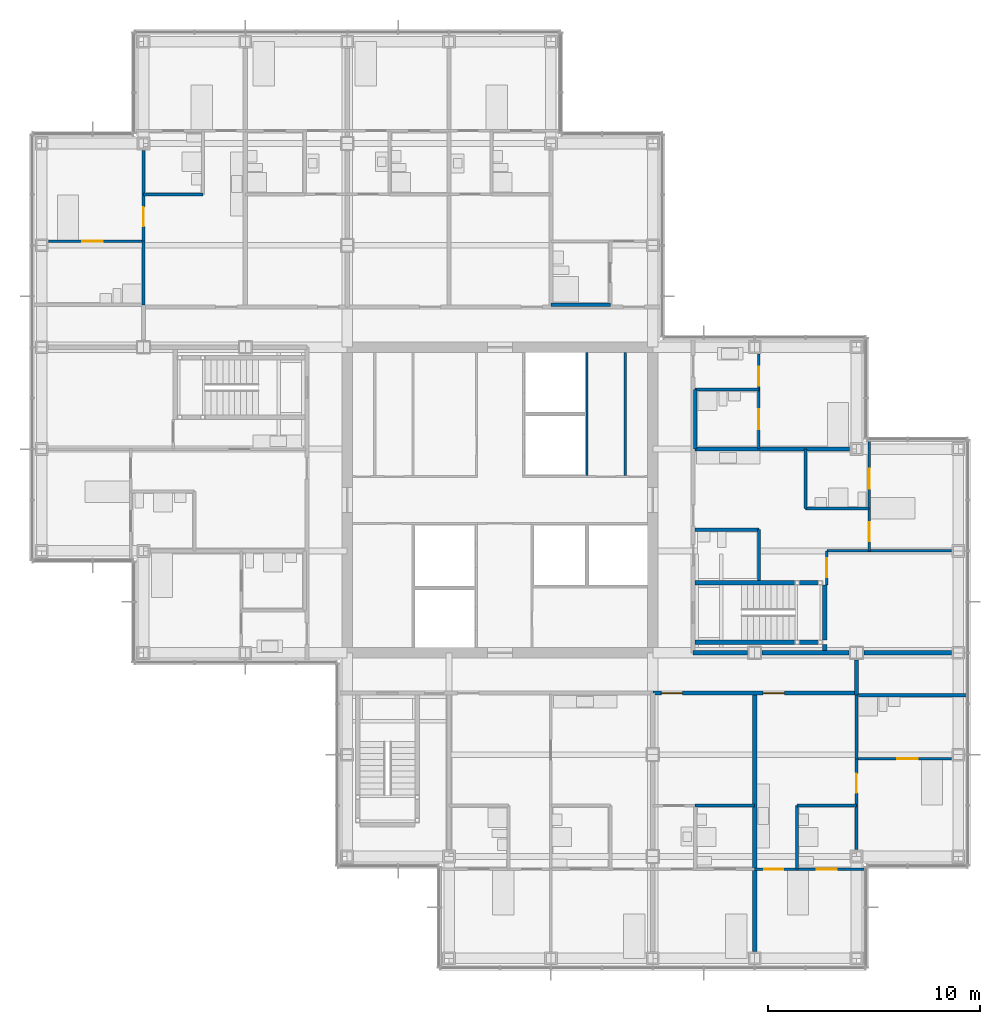
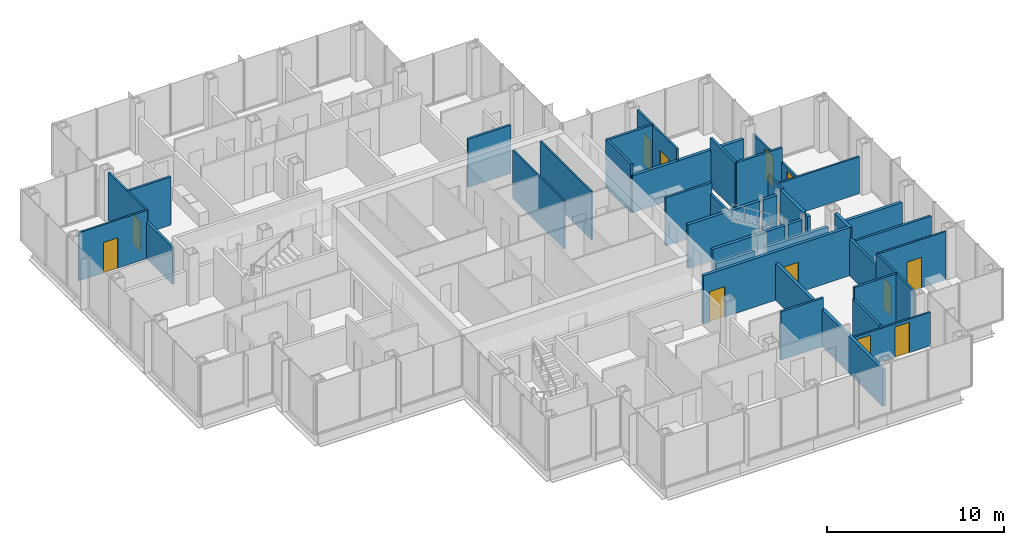
# One storey, part 15 of 20: 38 walls, 13 doors, 13 openings.
"""IFC4 building model written with IfcOpenShell, lengths in metres."""

from ifc_helpers import new_model, si_unit, direction, frame, frame_2d, origin, place, context, subcontext, project, spatial, rectangle, extrude, material, layer, layer_set, type_object, element, fill, save


model = new_model("IFC4")

# Units and contexts
model_context = context("Model", 3, precision=1e-05, world=origin(), true_north=direction((0.0, 1.0)))
body_context = subcontext(model_context, "Body", "Model", "MODEL_VIEW")
ifc_project = project(units=[si_unit("LENGTHUNIT", "METRE"), si_unit("AREAUNIT", "SQUARE_METRE"), si_unit("VOLUMEUNIT", "CUBIC_METRE"), si_unit("PLANEANGLEUNIT", "RADIAN"), si_unit("MASSUNIT", "GRAM", prefix="KILO")], contexts=[model_context])

# Site, building, storey
site_placement = place(None, origin())
site = spatial("IfcSite", under=ifc_project, at=site_placement, CompositionType="ELEMENT")
building_placement = place(site_placement, origin())
building = spatial("IfcBuilding", under=site, at=building_placement, Name="Kvirike Care Tower", CompositionType="ELEMENT")
storey_placement = place(building_placement, frame((0.0, 0.0, 119.0)))
storey = spatial("IfcBuildingStorey", under=building, at=storey_placement, Name="L32", CompositionType="ELEMENT", Elevation=119.0)

# Walls
ifc_material_1 = material(Name="Moisture-resistant board partition", Category="gypsum")
ifc_layer_1 = layer(ifc_material_1, 0.14990234375)
ifc_layer_set_1 = layer_set([ifc_layer_1], Name="BATHROOM WALL 150")
wall_type_1 = type_object("IfcWallType", Name="BATHROOM WALL 150", PredefinedType="PARTITIONING", material=ifc_layer_set_1)
wall_1_placement = place(storey_placement, frame((7.60009765625, 50.39990234375, 0.0), z_axis=(0.0, 0.0, 1.0), x_axis=(-1.0, 0.0, 0.0)))
element("IfcWall", 1, at=wall_1_placement, inside=storey, type_object=wall_type_1, Name="Bathroom Wall 150 L32", PredefinedType="PARTITIONING", context=body_context, shape_type="SweptSolid", body=[
    extrude(rectangle(XDim=2.800048828125, YDim=0.14990234375, at=frame_2d((1.39990234375, 0.0))), origin(), (0.0, 0.0, 1.0), 3.330078125),
])
wall_2_placement = place(storey_placement, frame((4.800048828125, 48.199951171875, 0.0), z_axis=(0.0, 0.0, 1.0), x_axis=(0.0, -1.0, 0.0)))
element("IfcWall", 2, at=wall_2_placement, inside=storey, type_object=wall_type_1, Name="Bathroom Wall 150 L32", PredefinedType="PARTITIONING", context=body_context, shape_type="SweptSolid", body=[
    extrude(rectangle(XDim=3.0, YDim=0.14990234375, at=frame_2d((1.5, 0.0))), origin(), (0.0, 0.0, 1.0), 2.550048828125),
])
for number, where, z_axis, x_axis, name in (
    (3, (26.800048828125, 45.199951171875, 0.0), (0.0, 0.0, 1.0), (-1.0, 0.0, 0.0), "Bathroom Wall 150 L32"),
    (4, (30.800048828125, 21.60009765625, 0.0), (0.0, 0.0, 1.0), (1.0, 0.0, 0.0), "Bathroom Wall 150 L32"),
):
    element("IfcWall", number, at=place(storey_placement, frame(where, z_axis=z_axis, x_axis=x_axis)), inside=storey, type_object=wall_type_1, Name=name, PredefinedType="PARTITIONING", context=body_context, shape_type="SweptSolid", body=[
        extrude(rectangle(XDim=2.800048828125, YDim=0.14990234375, at=frame_2d((1.39990234375, 0.0))), origin(), (0.0, 0.0, 1.0), 3.330078125),
    ])
wall_3_placement = place(storey_placement, frame((35.60009765625, 18.60009765625, 0.0), z_axis=(0.0, 0.0, 1.0), x_axis=(0.0, 1.0, 0.0)))
element("IfcWall", 5, at=wall_3_placement, inside=storey, type_object=wall_type_1, Name="Bathroom Wall 150 L32", PredefinedType="PARTITIONING", context=body_context, shape_type="SweptSolid", body=[
    extrude(rectangle(XDim=3.0, YDim=0.14990234375, at=frame_2d((1.5, 0.0))), origin(), (0.0, 0.0, 1.0), 2.550048828125),
])
wall_4_placement = place(storey_placement, frame((35.60009765625, 21.60009765625, 0.0), z_axis=(0.0, 0.0, 1.0), x_axis=(1.0, 0.0, 0.0)))
element("IfcWall", 6, at=wall_4_placement, inside=storey, type_object=wall_type_1, Name="Bathroom Wall 150 L32", PredefinedType="PARTITIONING", context=body_context, shape_type="SweptSolid", body=[
    extrude(rectangle(XDim=2.7998046875, YDim=0.14990234375, at=frame_2d((1.39990234375, 0.0))), origin(), (0.0, 0.0, 1.0), 3.330078125),
])
wall_5_placement = place(storey_placement, frame((38.39990234375, 23.800048828125, 0.0), z_axis=(0.0, 0.0, 1.0), x_axis=(0.0, 1.0, 0.0)))
element("IfcWall", 7, at=wall_5_placement, inside=storey, type_object=wall_type_1, Name="Bathroom Wall 150 L32", PredefinedType="PARTITIONING", context=body_context, shape_type="SweptSolid", body=[
    extrude(rectangle(XDim=3.0, YDim=0.14990234375, at=frame_2d((1.5, 0.0))), origin(), (0.0, 0.0, 1.0), 2.550048828125),
])
wall_6_placement = place(storey_placement, frame((33.800048828125, 32.199951171875, 0.0), z_axis=(0.0, 0.0, 1.0), x_axis=(0.0, 1.0, 0.0)))
element("IfcWall", 8, at=wall_6_placement, inside=storey, type_object=wall_type_1, Name="Bathroom Wall 150 L32", PredefinedType="PARTITIONING", context=body_context, shape_type="SweptSolid", body=[
    extrude(rectangle(XDim=2.400146484375, YDim=0.14990234375, at=frame_2d((1.2001953125, 0.0))), origin(), (0.0, 0.0, 1.0), 2.550048828125),
])
for number, where, z_axis, x_axis, name in (
    (9, (33.800048828125, 34.60009765625, 0.0), (0.0, 0.0, 1.0), (-1.0, 0.0, 0.0), "Bathroom Wall 150 L32"),
    (10, (39.0, 35.60009765625, 0.0), (0.0, 0.0, 1.0), (-1.0, 0.0, 0.0), "Bathroom Wall 150 L32"),
):
    element("IfcWall", number, at=place(storey_placement, frame(where, z_axis=z_axis, x_axis=x_axis)), inside=storey, type_object=wall_type_1, Name=name, PredefinedType="PARTITIONING", context=body_context, shape_type="SweptSolid", body=[
        extrude(rectangle(XDim=3.0, YDim=0.14990234375, at=frame_2d((1.5, 0.0))), origin(), (0.0, 0.0, 1.0), 3.330078125),
    ])
wall_7_placement = place(storey_placement, frame((36.0, 35.60009765625, 0.0), z_axis=(0.0, 0.0, 1.0), x_axis=(0.0, 1.0, 0.0)))
element("IfcWall", 11, at=wall_7_placement, inside=storey, type_object=wall_type_1, Name="Bathroom Wall 150 L32", PredefinedType="PARTITIONING", context=body_context, shape_type="SweptSolid", body=[
    extrude(rectangle(XDim=2.7998046875, YDim=0.14990234375, at=frame_2d((1.39990234375, 0.0))), origin(), (0.0, 0.0, 1.0), 3.330078125),
])
wall_8_placement = place(storey_placement, frame((33.800048828125, 41.199951171875, 0.0), z_axis=(0.0, 0.0, 1.0), x_axis=(-1.0, 0.0, 0.0)))
element("IfcWall", 12, at=wall_8_placement, inside=storey, type_object=wall_type_1, Name="Bathroom Wall 150 L32", PredefinedType="PARTITIONING", context=body_context, shape_type="SweptSolid", body=[
    extrude(rectangle(XDim=3.0, YDim=0.14990234375, at=frame_2d((1.5, 0.0))), origin(), (0.0, 0.0, 1.0), 3.330078125),
])
wall_9_placement = place(storey_placement, frame((30.800048828125, 38.39990234375, 0.0), z_axis=(0.0, 0.0, 1.0), x_axis=(0.0, 1.0, 0.0)))
element("IfcWall", 13, at=wall_9_placement, inside=storey, type_object=wall_type_1, Name="Bathroom Wall 150 L32", PredefinedType="PARTITIONING", context=body_context, shape_type="SweptSolid", body=[
    extrude(rectangle(XDim=2.800048828125, YDim=0.14990234375, at=frame_2d((1.39990234375, 0.0))), origin(), (0.0, 0.0, 1.0), 3.330078125),
])
wall_10_placement = place(storey_placement, frame((38.5, 26.800048828125, 0.0), z_axis=(0.0, 0.0, 1.0), x_axis=(1.0, 0.0, 0.0)))
element("IfcWall", 14, at=wall_10_placement, inside=storey, type_object=wall_type_1, Name="Bathroom Wall 150 L32", PredefinedType="PARTITIONING", context=body_context, shape_type="SweptSolid", body=[
    extrude(rectangle(XDim=5.139892578125, YDim=0.14990234375, at=frame_2d((2.56982421875, 0.0))), origin(), (0.0, 0.0, 1.0), 2.320068359375),
])

# Wall, openings, doors
ifc_material_2 = material(Name="Plasterboard corridor wall", Category="gypsum")
ifc_layer_2 = layer(ifc_material_2, 0.199951171875)
ifc_layer_set_2 = layer_set([ifc_layer_2], Name="CORRIDOR WALL 200")
wall_type_2 = type_object("IfcWallType", Name="CORRIDOR WALL 200", PredefinedType="PARTITIONING", material=ifc_layer_set_2)
wall_11_placement = place(storey_placement, frame((28.800048828125, 26.89990234375, 0.0), z_axis=(0.0, 0.0, 1.0), x_axis=(1.0, 0.0, 0.0)))
wall_11 = element("IfcWall", 15, at=wall_11_placement, inside=storey, type_object=wall_type_2, Name="Corridor Wall 200 L32", PredefinedType="PARTITIONING", context=body_context, shape_type="SweptSolid", body=[
    extrude(rectangle(XDim=9.599853515625, YDim=0.199951171875, at=frame_2d((4.7998046875, 0.0))), origin(), (0.0, 0.0, 1.0), 3.330078125),
])
opening_1_placement = place(wall_11_placement, frame((0.39990234375, 0.0, 0.0)))
opening_1 = element("IfcOpeningElement", 16, at=opening_1_placement, cuts=wall_11, Name="Opening 32-045", PredefinedType="OPENING", context=body_context, shape_type="SweptSolid", body=[
    extrude(rectangle(XDim=1.0, YDim=2.10009765625, at=frame_2d((0.5, 1.050048828125))), frame((0.0, 0.110595703125, 0.0), z_axis=(0.0, -1.0, 0.0), x_axis=(1.0, 0.0, 0.0)), (0.0, 0.0, 1.0), 0.220947265625),
])
opening_2_placement = place(wall_11_placement, frame((5.199951171875, 0.0, 0.0)))
opening_2 = element("IfcOpeningElement", 17, at=opening_2_placement, cuts=wall_11, Name="Opening 32-046", PredefinedType="OPENING", context=body_context, shape_type="SweptSolid", body=[
    extrude(rectangle(XDim=1.0, YDim=2.10009765625, at=frame_2d((0.5, 1.050048828125))), frame((0.0, 0.110595703125, 0.0), z_axis=(0.0, -1.0, 0.0), x_axis=(1.0, 0.0, 0.0)), (0.0, 0.0, 1.0), 0.220947265625),
])
ifc_material_3 = material(Name="Timber door set", Category="wood")
door_type_1 = type_object("IfcDoorType", Name="FLAT ENTRANCE DOOR 1000", OperationType="SINGLE_SWING_LEFT", PredefinedType="DOOR", material=ifc_material_3)
door_1_placement = place(opening_1_placement, frame((1.0, 0.0, 0.0), z_axis=(0.0, 0.0, 1.0), x_axis=(-1.0, 0.0, 0.0)))
door_1 = element("IfcDoor", 18, at=door_1_placement, inside=storey, type_object=door_type_1, Name="Assisted living suite entrance", OperationType="SINGLE_SWING_LEFT", OverallHeight=2.10009765625, OverallWidth=1.0, PredefinedType="DOOR", context=body_context, shape_type="SweptSolid", body=[
    extrude(rectangle(XDim=1.0, YDim=2.10009765625, at=frame_2d((0.5, 1.050048828125))), frame((0.0, 0.02685546875, 0.0), z_axis=(0.0, -1.0, 0.0), x_axis=(1.0, 0.0, 0.0)), (0.0, 0.0, 1.0), 0.053955078125),
])
fill(opening_1, door_1)
door_2_placement = place(opening_2_placement, frame((1.0, 0.0, 0.0), z_axis=(0.0, 0.0, 1.0), x_axis=(-1.0, 0.0, 0.0)))
door_2 = element("IfcDoor", 19, at=door_2_placement, inside=storey, type_object=door_type_1, Name="Two-bedroom assisted living suite entrance", OperationType="SINGLE_SWING_LEFT", OverallHeight=2.10009765625, OverallWidth=1.0, PredefinedType="DOOR", context=body_context, shape_type="SweptSolid", body=[
    extrude(rectangle(XDim=1.0, YDim=2.10009765625, at=frame_2d((0.5, 1.050048828125))), frame((0.0, 0.02685546875, 0.0), z_axis=(0.0, -1.0, 0.0), x_axis=(1.0, 0.0, 0.0)), (0.0, 0.0, 1.0), 0.053955078125),
])
fill(opening_2, door_2)

# Wall
wall_12_placement = place(storey_placement, frame((38.39990234375, 26.800048828125, 0.0), z_axis=(0.0, 0.0, 1.0), x_axis=(0.0, 1.0, 0.0)))
element("IfcWall", 20, at=wall_12_placement, inside=storey, type_object=wall_type_2, Name="Corridor Wall 200 L32", PredefinedType="PARTITIONING", context=body_context, shape_type="SweptSolid", body=[
    extrude(rectangle(XDim=1.655029296875, YDim=0.199951171875, at=frame_2d((0.82763671875, 0.0))), origin(), (0.0, 0.0, 1.0), 3.330078125),
])

# Wall, opening, door
ifc_material_4 = material(Name="Plasterboard partition", Category="gypsum")
ifc_layer_3 = layer(ifc_material_4, 0.1201171875)
ifc_layer_set_3 = layer_set([ifc_layer_3], Name="PARTITION 120")
wall_type_3 = type_object("IfcWallType", Name="PARTITION 120", PredefinedType="PARTITIONING", material=ifc_layer_set_3)
wall_13_placement = place(storey_placement, frame((4.800048828125, 48.199951171875, 0.0), z_axis=(0.0, 0.0, 1.0), x_axis=(-1.0, 0.0, 0.0)))
wall_13 = element("IfcWall", 21, at=wall_13_placement, inside=storey, type_object=wall_type_3, Name="Partition 120 L32", PredefinedType="PARTITIONING", context=body_context, shape_type="SweptSolid", body=[
    extrude(rectangle(XDim=4.47998046875, YDim=0.1201171875, at=frame_2d((2.239990234375, 0.0))), origin(), (0.0, 0.0, 1.0), 3.330078125),
])
opening_3_placement = place(wall_13_placement, frame((1.925048828125, 0.0, 0.0)))
opening_3 = element("IfcOpeningElement", 22, at=opening_3_placement, cuts=wall_13, Name="Opening 32-015", PredefinedType="OPENING", context=body_context, shape_type="SweptSolid", body=[
    extrude(rectangle(XDim=0.949951171875, YDim=2.10009765625, at=frame_2d((0.47509765625, 1.050048828125))), frame((0.0, 0.070556640625, 0.0), z_axis=(0.0, -1.0, 0.0), x_axis=(1.0, 0.0, 0.0)), (0.0, 0.0, 1.0), 0.14111328125),
])
ifc_material_5 = material(Name="Timber door set", Category="wood")
door_type_2 = type_object("IfcDoorType", Name="EN-SUITE SLIDING DOOR 950", OperationType="SLIDING_TO_LEFT", PredefinedType="DOOR", material=ifc_material_5)
door_3_placement = place(opening_3_placement, origin())
door_3 = element("IfcDoor", 23, at=door_3_placement, inside=storey, type_object=door_type_2, Name="En-suite door", OperationType="SLIDING_TO_LEFT", OverallHeight=2.10009765625, OverallWidth=0.949951171875, PredefinedType="DOOR", context=body_context, shape_type="SweptSolid", body=[
    extrude(rectangle(XDim=0.949951171875, YDim=2.10009765625, at=frame_2d((0.47509765625, 1.050048828125))), frame((0.0, 0.02197265625, 0.0), z_axis=(0.0, -1.0, 0.0), x_axis=(1.0, 0.0, 0.0)), (0.0, 0.0, 1.0), 0.0439453125),
])
fill(opening_3, door_3)

wall_14_placement = place(storey_placement, frame((4.800048828125, 52.47998046875, 0.0), z_axis=(0.0, 0.0, 1.0), x_axis=(0.0, -1.0, 0.0)))
wall_14 = element("IfcWall", 24, at=wall_14_placement, inside=storey, type_object=wall_type_3, Name="Partition 120 L32", PredefinedType="PARTITIONING", context=body_context, shape_type="SweptSolid", body=[
    extrude(rectangle(XDim=4.280029296875, YDim=0.1201171875, at=frame_2d((2.14013671875, 0.0))), origin(), (0.0, 0.0, 1.0), 3.330078125),
])
opening_4_placement = place(wall_14_placement, frame((2.679931640625, 0.0, 0.0)))
opening_4 = element("IfcOpeningElement", 25, at=opening_4_placement, cuts=wall_14, Name="Opening 32-016", PredefinedType="OPENING", context=body_context, shape_type="SweptSolid", body=[
    extrude(rectangle(XDim=0.89990234375, YDim=2.10009765625, at=frame_2d((0.449951171875, 1.050048828125))), frame((0.0, 0.070556640625, 0.0), z_axis=(0.0, -1.0, 0.0), x_axis=(1.0, 0.0, 0.0)), (0.0, 0.0, 1.0), 0.14111328125),
])
ifc_material_6 = material(Name="Timber door set", Category="wood")
door_type_3 = type_object("IfcDoorType", Name="INTERNAL DOOR 900", OperationType="SINGLE_SWING_LEFT", PredefinedType="DOOR", material=ifc_material_6)
door_4_placement = place(opening_4_placement, frame((0.89990234375, 0.0, 0.0), z_axis=(0.0, 0.0, 1.0), x_axis=(-1.0, 0.0, 0.0)))
door_4 = element("IfcDoor", 26, at=door_4_placement, inside=storey, type_object=door_type_3, Name="Connecting door", OperationType="SINGLE_SWING_RIGHT", OverallHeight=2.10009765625, OverallWidth=0.89990234375, PredefinedType="DOOR", context=body_context, shape_type="SweptSolid", body=[
    extrude(rectangle(XDim=0.89990234375, YDim=2.10009765625, at=frame_2d((0.449951171875, 1.050048828125))), frame((0.0, 0.02197265625, 0.0), z_axis=(0.0, -1.0, 0.0), x_axis=(1.0, 0.0, 0.0)), (0.0, 0.0, 1.0), 0.0439453125),
])
fill(opening_4, door_4)

# Wall, openings, doors
wall_15_placement = place(storey_placement, frame((33.60009765625, 18.60009765625, 0.0), z_axis=(0.0, 0.0, 1.0), x_axis=(1.0, 0.0, 0.0)))
wall_15 = element("IfcWall", 27, at=wall_15_placement, inside=storey, type_object=wall_type_3, Name="Partition 120 L32", PredefinedType="PARTITIONING", context=body_context, shape_type="SweptSolid", body=[
    extrude(rectangle(XDim=5.239990234375, YDim=0.1201171875, at=frame_2d((2.6201171875, 0.0))), origin(), (0.0, 0.0, 1.0), 2.320068359375),
])
opening_5_placement = place(wall_15_placement, frame((0.449951171875, 0.0, 0.0)))
opening_5 = element("IfcOpeningElement", 28, at=opening_5_placement, cuts=wall_15, Name="Opening 32-041", PredefinedType="OPENING", context=body_context, shape_type="SweptSolid", body=[
    extrude(rectangle(XDim=0.89990234375, YDim=2.10009765625, at=frame_2d((0.449951171875, 1.050048828125))), frame((0.0, 0.070556640625, 0.0), z_axis=(0.0, -1.0, 0.0), x_axis=(1.0, 0.0, 0.0)), (0.0, 0.0, 1.0), 0.14111328125),
])
opening_6_placement = place(wall_15_placement, frame((2.925048828125, 0.0, 0.0)))
opening_6 = element("IfcOpeningElement", 29, at=opening_6_placement, cuts=wall_15, Name="Opening 32-042", PredefinedType="OPENING", context=body_context, shape_type="SweptSolid", body=[
    extrude(rectangle(XDim=0.949951171875, YDim=2.10009765625, at=frame_2d((0.47509765625, 1.050048828125))), frame((0.0, 0.070556640625, 0.0), z_axis=(0.0, -1.0, 0.0), x_axis=(1.0, 0.0, 0.0)), (0.0, 0.0, 1.0), 0.14111328125),
])
door_5_placement = place(opening_6_placement, origin())
door_5 = element("IfcDoor", 30, at=door_5_placement, inside=storey, type_object=door_type_2, Name="En-suite door", OperationType="SLIDING_TO_RIGHT", OverallHeight=2.10009765625, OverallWidth=0.949951171875, PredefinedType="DOOR", context=body_context, shape_type="SweptSolid", body=[
    extrude(rectangle(XDim=0.949951171875, YDim=2.10009765625, at=frame_2d((0.47509765625, 1.050048828125))), frame((0.0, 0.02197265625, 0.0), z_axis=(0.0, -1.0, 0.0), x_axis=(1.0, 0.0, 0.0)), (0.0, 0.0, 1.0), 0.0439453125),
])
fill(opening_6, door_5)
door_6_placement = place(opening_5_placement, frame((0.89990234375, 0.0, 0.0), z_axis=(0.0, 0.0, 1.0), x_axis=(-1.0, 0.0, 0.0)))
door_6 = element("IfcDoor", 31, at=door_6_placement, inside=storey, type_object=door_type_3, Name="Assisted living suite door", OperationType="SINGLE_SWING_LEFT", OverallHeight=2.10009765625, OverallWidth=0.89990234375, PredefinedType="DOOR", context=body_context, shape_type="SweptSolid", body=[
    extrude(rectangle(XDim=0.89990234375, YDim=2.10009765625, at=frame_2d((0.449951171875, 1.050048828125))), frame((0.0, 0.02197265625, 0.0), z_axis=(0.0, -1.0, 0.0), x_axis=(1.0, 0.0, 0.0)), (0.0, 0.0, 1.0), 0.0439453125),
])
fill(opening_5, door_6)

# Wall, opening, door
wall_16_placement = place(storey_placement, frame((38.39990234375, 23.800048828125, 0.0), z_axis=(0.0, 0.0, 1.0), x_axis=(1.0, 0.0, 0.0)))
wall_16 = element("IfcWall", 32, at=wall_16_placement, inside=storey, type_object=wall_type_3, Name="Partition 120 L32", PredefinedType="PARTITIONING", context=body_context, shape_type="SweptSolid", body=[
    extrude(rectangle(XDim=4.47998046875, YDim=0.1201171875, at=frame_2d((2.239990234375, 0.0))), origin(), (0.0, 0.0, 1.0), 3.330078125),
])
opening_7_placement = place(wall_16_placement, frame((1.925048828125, 0.0, 0.0)))
opening_7 = element("IfcOpeningElement", 33, at=opening_7_placement, cuts=wall_16, Name="Opening 32-043", PredefinedType="OPENING", context=body_context, shape_type="SweptSolid", body=[
    extrude(rectangle(XDim=0.949951171875, YDim=2.10009765625, at=frame_2d((0.47509765625, 1.050048828125))), frame((0.0, 0.070556640625, 0.0), z_axis=(0.0, -1.0, 0.0), x_axis=(1.0, 0.0, 0.0)), (0.0, 0.0, 1.0), 0.14111328125),
])
door_7_placement = place(opening_7_placement, origin())
door_7 = element("IfcDoor", 34, at=door_7_placement, inside=storey, type_object=door_type_2, Name="En-suite door", OperationType="SLIDING_TO_LEFT", OverallHeight=2.10009765625, OverallWidth=0.949951171875, PredefinedType="DOOR", context=body_context, shape_type="SweptSolid", body=[
    extrude(rectangle(XDim=0.949951171875, YDim=2.10009765625, at=frame_2d((0.47509765625, 1.050048828125))), frame((0.0, 0.02197265625, 0.0), z_axis=(0.0, -1.0, 0.0), x_axis=(1.0, 0.0, 0.0)), (0.0, 0.0, 1.0), 0.0439453125),
])
fill(opening_7, door_7)

wall_17_placement = place(storey_placement, frame((38.39990234375, 19.52001953125, 0.0), z_axis=(0.0, 0.0, 1.0), x_axis=(0.0, 1.0, 0.0)))
wall_17 = element("IfcWall", 35, at=wall_17_placement, inside=storey, type_object=wall_type_3, Name="Partition 120 L32", PredefinedType="PARTITIONING", context=body_context, shape_type="SweptSolid", body=[
    extrude(rectangle(XDim=4.280029296875, YDim=0.1201171875, at=frame_2d((2.14013671875, 0.0))), origin(), (0.0, 0.0, 1.0), 3.330078125),
])
opening_8_placement = place(wall_17_placement, frame((2.679931640625, 0.0, 0.0)))
opening_8 = element("IfcOpeningElement", 36, at=opening_8_placement, cuts=wall_17, Name="Opening 32-044", PredefinedType="OPENING", context=body_context, shape_type="SweptSolid", body=[
    extrude(rectangle(XDim=0.89990234375, YDim=2.10009765625, at=frame_2d((0.449951171875, 1.050048828125))), frame((0.0, 0.070556640625, 0.0), z_axis=(0.0, -1.0, 0.0), x_axis=(1.0, 0.0, 0.0)), (0.0, 0.0, 1.0), 0.14111328125),
])
door_8_placement = place(opening_8_placement, frame((0.89990234375, 0.0, 0.0), z_axis=(0.0, 0.0, 1.0), x_axis=(-1.0, 0.0, 0.0)))
door_8 = element("IfcDoor", 37, at=door_8_placement, inside=storey, type_object=door_type_3, Name="Connecting door", OperationType="SINGLE_SWING_RIGHT", OverallHeight=2.10009765625, OverallWidth=0.89990234375, PredefinedType="DOOR", context=body_context, shape_type="SweptSolid", body=[
    extrude(rectangle(XDim=0.89990234375, YDim=2.10009765625, at=frame_2d((0.449951171875, 1.050048828125))), frame((0.0, 0.02197265625, 0.0), z_axis=(0.0, -1.0, 0.0), x_axis=(1.0, 0.0, 0.0)), (0.0, 0.0, 1.0), 0.0439453125),
])
fill(opening_8, door_8)

wall_18_placement = place(storey_placement, frame((37.0, 32.0, 0.0), z_axis=(0.0, 0.0, 1.0), x_axis=(0.0, 1.0, 0.0)))
wall_18 = element("IfcWall", 38, at=wall_18_placement, inside=storey, type_object=wall_type_3, Name="Partition 120 L32", PredefinedType="PARTITIONING", context=body_context, shape_type="SweptSolid", body=[
    extrude(rectangle(XDim=1.60009765625, YDim=0.1201171875, at=frame_2d((0.800048828125, 0.0))), origin(), (0.0, 0.0, 1.0), 3.330078125),
])
opening_9_placement = place(wall_18_placement, frame((0.35009765625, 0.0, 0.0)))
opening_9 = element("IfcOpeningElement", 39, at=opening_9_placement, cuts=wall_18, Name="Opening 32-047", PredefinedType="OPENING", context=body_context, shape_type="SweptSolid", body=[
    extrude(rectangle(XDim=0.89990234375, YDim=2.10009765625, at=frame_2d((0.449951171875, 1.050048828125))), frame((0.0, 0.070556640625, 0.0), z_axis=(0.0, -1.0, 0.0), x_axis=(1.0, 0.0, 0.0)), (0.0, 0.0, 1.0), 0.14111328125),
])
door_9_placement = place(opening_9_placement, frame((0.89990234375, 0.0, 0.0), z_axis=(0.0, 0.0, 1.0), x_axis=(-1.0, 0.0, 0.0)))
door_9 = element("IfcDoor", 40, at=door_9_placement, inside=storey, type_object=door_type_3, Name="Suite sitting room door", OperationType="SINGLE_SWING_RIGHT", OverallHeight=2.10009765625, OverallWidth=0.89990234375, PredefinedType="DOOR", context=body_context, shape_type="SweptSolid", body=[
    extrude(rectangle(XDim=0.89990234375, YDim=2.10009765625, at=frame_2d((0.449951171875, 1.050048828125))), frame((0.0, 0.02197265625, 0.0), z_axis=(0.0, -1.0, 0.0), x_axis=(1.0, 0.0, 0.0)), (0.0, 0.0, 1.0), 0.0439453125),
])
fill(opening_9, door_9)

# Wall, openings, doors
wall_19_placement = place(storey_placement, frame((39.0, 33.60009765625, 0.0), z_axis=(0.0, 0.0, 1.0), x_axis=(0.0, 1.0, 0.0)))
wall_19 = element("IfcWall", 41, at=wall_19_placement, inside=storey, type_object=wall_type_3, Name="Partition 120 L32", PredefinedType="PARTITIONING", context=body_context, shape_type="SweptSolid", body=[
    extrude(rectangle(XDim=5.239990234375, YDim=0.1201171875, at=frame_2d((2.6201171875, 0.0))), origin(), (0.0, 0.0, 1.0), 2.320068359375),
])
opening_10_placement = place(wall_19_placement, frame((0.449951171875, 0.0, 0.0)))
opening_10 = element("IfcOpeningElement", 42, at=opening_10_placement, cuts=wall_19, Name="Opening 32-048", PredefinedType="OPENING", context=body_context, shape_type="SweptSolid", body=[
    extrude(rectangle(XDim=0.89990234375, YDim=2.10009765625, at=frame_2d((0.449951171875, 1.050048828125))), frame((0.0, 0.070556640625, 0.0), z_axis=(0.0, -1.0, 0.0), x_axis=(1.0, 0.0, 0.0)), (0.0, 0.0, 1.0), 0.14111328125),
])
opening_11_placement = place(wall_19_placement, frame((2.925048828125, 0.0, 0.0)))
opening_11 = element("IfcOpeningElement", 43, at=opening_11_placement, cuts=wall_19, Name="Opening 32-049", PredefinedType="OPENING", context=body_context, shape_type="SweptSolid", body=[
    extrude(rectangle(XDim=0.949951171875, YDim=2.10009765625, at=frame_2d((0.47509765625, 1.050048828125))), frame((0.0, 0.070556640625, 0.0), z_axis=(0.0, -1.0, 0.0), x_axis=(1.0, 0.0, 0.0)), (0.0, 0.0, 1.0), 0.14111328125),
])
door_10_placement = place(opening_11_placement, origin())
door_10 = element("IfcDoor", 44, at=door_10_placement, inside=storey, type_object=door_type_2, Name="En-suite door", OperationType="SLIDING_TO_LEFT", OverallHeight=2.10009765625, OverallWidth=0.949951171875, PredefinedType="DOOR", context=body_context, shape_type="SweptSolid", body=[
    extrude(rectangle(XDim=0.949951171875, YDim=2.10009765625, at=frame_2d((0.47509765625, 1.050048828125))), frame((0.0, 0.02197265625, 0.0), z_axis=(0.0, -1.0, 0.0), x_axis=(1.0, 0.0, 0.0)), (0.0, 0.0, 1.0), 0.0439453125),
])
fill(opening_11, door_10)
door_11_placement = place(opening_10_placement, frame((0.89990234375, 0.0, 0.0), z_axis=(0.0, 0.0, 1.0), x_axis=(-1.0, 0.0, 0.0)))
door_11 = element("IfcDoor", 45, at=door_11_placement, inside=storey, type_object=door_type_3, Name="Assisted living suite door", OperationType="SINGLE_SWING_LEFT", OverallHeight=2.10009765625, OverallWidth=0.89990234375, PredefinedType="DOOR", context=body_context, shape_type="SweptSolid", body=[
    extrude(rectangle(XDim=0.89990234375, YDim=2.10009765625, at=frame_2d((0.449951171875, 1.050048828125))), frame((0.0, 0.02197265625, 0.0), z_axis=(0.0, -1.0, 0.0), x_axis=(1.0, 0.0, 0.0)), (0.0, 0.0, 1.0), 0.0439453125),
])
fill(opening_10, door_11)

# Wall
wall_20_placement = place(storey_placement, frame((42.8798828125, 33.60009765625, 0.0), z_axis=(0.0, 0.0, 1.0), x_axis=(-1.0, 0.0, 0.0)))
element("IfcWall", 46, at=wall_20_placement, inside=storey, type_object=wall_type_3, Name="Partition 120 L32", PredefinedType="PARTITIONING", context=body_context, shape_type="SweptSolid", body=[
    extrude(rectangle(XDim=5.8798828125, YDim=0.1201171875, at=frame_2d((2.93994140625, 0.0))), origin(), (0.0, 0.0, 1.0), 2.550048828125),
])

# Wall, openings, doors
wall_21_placement = place(storey_placement, frame((33.800048828125, 38.39990234375, 0.0), z_axis=(0.0, 0.0, 1.0), x_axis=(0.0, 1.0, 0.0)))
wall_21 = element("IfcWall", 47, at=wall_21_placement, inside=storey, type_object=wall_type_3, Name="Partition 120 L32", PredefinedType="PARTITIONING", context=body_context, shape_type="SweptSolid", body=[
    extrude(rectangle(XDim=4.47998046875, YDim=0.1201171875, at=frame_2d((2.239990234375, 0.0))), origin(), (0.0, 0.0, 1.0), 3.330078125),
])
opening_12_placement = place(wall_21_placement, frame((2.97509765625, 0.0, 0.0)))
opening_12 = element("IfcOpeningElement", 48, at=opening_12_placement, cuts=wall_21, Name="Opening 32-050", PredefinedType="OPENING", context=body_context, shape_type="SweptSolid", body=[
    extrude(rectangle(XDim=0.89990234375, YDim=2.10009765625, at=frame_2d((0.449951171875, 1.050048828125))), frame((0.0, 0.070556640625, 0.0), z_axis=(0.0, -1.0, 0.0), x_axis=(1.0, 0.0, 0.0)), (0.0, 0.0, 1.0), 0.14111328125),
])
opening_13_placement = place(wall_21_placement, frame((0.925048828125, 0.0, 0.0)))
opening_13 = element("IfcOpeningElement", 49, at=opening_13_placement, cuts=wall_21, Name="Opening 32-051", PredefinedType="OPENING", context=body_context, shape_type="SweptSolid", body=[
    extrude(rectangle(XDim=0.949951171875, YDim=2.10009765625, at=frame_2d((0.47509765625, 1.050048828125))), frame((0.0, 0.070556640625, 0.0), z_axis=(0.0, -1.0, 0.0), x_axis=(1.0, 0.0, 0.0)), (0.0, 0.0, 1.0), 0.14111328125),
])
door_12_placement = place(opening_13_placement, origin())
door_12 = element("IfcDoor", 50, at=door_12_placement, inside=storey, type_object=door_type_2, Name="En-suite door", OperationType="SLIDING_TO_RIGHT", OverallHeight=2.10009765625, OverallWidth=0.949951171875, PredefinedType="DOOR", context=body_context, shape_type="SweptSolid", body=[
    extrude(rectangle(XDim=0.949951171875, YDim=2.10009765625, at=frame_2d((0.47509765625, 1.050048828125))), frame((0.0, 0.02197265625, 0.0), z_axis=(0.0, -1.0, 0.0), x_axis=(1.0, 0.0, 0.0)), (0.0, 0.0, 1.0), 0.0439453125),
])
fill(opening_13, door_12)
door_13_placement = place(opening_12_placement, origin())
door_13 = element("IfcDoor", 51, at=door_13_placement, inside=storey, type_object=door_type_3, Name="Assisted living suite door", OperationType="SINGLE_SWING_RIGHT", OverallHeight=2.10009765625, OverallWidth=0.89990234375, PredefinedType="DOOR", context=body_context, shape_type="SweptSolid", body=[
    extrude(rectangle(XDim=0.89990234375, YDim=2.10009765625, at=frame_2d((0.449951171875, 1.050048828125))), frame((0.0, 0.02197265625, 0.0), z_axis=(0.0, -1.0, 0.0), x_axis=(1.0, 0.0, 0.0)), (0.0, 0.0, 1.0), 0.0439453125),
])
fill(opening_12, door_13)

# Walls
ifc_material_7 = material(Name="Plasterboard party wall", Category="gypsum")
ifc_layer_4 = layer(ifc_material_7, 0.199951171875)
ifc_layer_set_4 = layer_set([ifc_layer_4], Name="PARTY WALL 200")
wall_type_4 = type_object("IfcWallType", Name="PARTY WALL 200", PredefinedType="PARTITIONING", material=ifc_layer_set_4)
wall_22_placement = place(storey_placement, frame((33.60009765625, 14.719970703125, 0.0), z_axis=(0.0, 0.0, 1.0), x_axis=(0.0, 1.0, 0.0)))
element("IfcWall", 52, at=wall_22_placement, inside=storey, type_object=wall_type_4, Name="Party Wall 200 L32", PredefinedType="PARTITIONING", context=body_context, shape_type="SweptSolid", body=[
    extrude(rectangle(XDim=12.080078125, YDim=0.199951171875, at=frame_2d((6.0400390625, 0.0))), origin(), (0.0, 0.0, 1.0), 2.550048828125),
])
wall_23_placement = place(storey_placement, frame((38.080078125, 38.39990234375, 0.0), z_axis=(0.0, 0.0, 1.0), x_axis=(-1.0, 0.0, 0.0)))
element("IfcWall", 53, at=wall_23_placement, inside=storey, type_object=wall_type_4, Name="Party Wall 200 L32", PredefinedType="PARTITIONING", context=body_context, shape_type="SweptSolid", body=[
    extrude(rectangle(XDim=7.280029296875, YDim=0.199951171875, at=frame_2d((3.64013671875, 0.0))), origin(), (0.0, 0.0, 1.0), 2.550048828125),
])
wall_24_placement = place(storey_placement, frame((42.8798828125, 28.800048828125, 0.0), z_axis=(0.0, 0.0, 1.0), x_axis=(-1.0, 0.0, 0.0)))
element("IfcWall", 54, at=wall_24_placement, inside=storey, type_object=wall_type_4, Name="Party Wall 200 L32", PredefinedType="PARTITIONING", context=body_context, shape_type="SweptSolid", body=[
    extrude(rectangle(XDim=4.134765625, YDim=0.199951171875, at=frame_2d((2.0673828125, 0.0))), origin(), (0.0, 0.0, 1.0), 2.320068359375),
])
wall_25_placement = place(storey_placement, frame((38.054931640625, 28.800048828125, 0.0), z_axis=(0.0, 0.0, 1.0), x_axis=(-1.0, 0.0, 0.0)))
element("IfcWall", 55, at=wall_25_placement, inside=storey, type_object=wall_type_4, Name="Party Wall 200 L32", PredefinedType="PARTITIONING", context=body_context, shape_type="SweptSolid", body=[
    extrude(rectangle(XDim=4.10986328125, YDim=0.199951171875, at=frame_2d((2.054931640625, 0.0))), origin(), (0.0, 0.0, 1.0), 2.320068359375),
])
wall_26_placement = place(storey_placement, frame((33.2548828125, 28.800048828125, 0.0), z_axis=(0.0, 0.0, 1.0), x_axis=(-1.0, 0.0, 0.0)))
element("IfcWall", 56, at=wall_26_placement, inside=storey, type_object=wall_type_4, Name="Party Wall 200 L32", PredefinedType="PARTITIONING", context=body_context, shape_type="SweptSolid", body=[
    extrude(rectangle(XDim=2.554931640625, YDim=0.199951171875, at=frame_2d((1.27734375, 0.0))), origin(), (0.0, 0.0, 1.0), 2.320068359375),
])
ifc_material_8 = material(Name="Gypsum shaft wall system", Category="gypsum")
ifc_layer_5 = layer(ifc_material_8, 0.10009765625)
ifc_layer_set_5 = layer_set([ifc_layer_5], Name="SHAFT WALL 100")
wall_type_5 = type_object("IfcWallType", Name="SHAFT WALL 100", PredefinedType="SOLIDWALL", material=ifc_layer_set_5)
for number, where, z_axis, x_axis, name in (
    (57, (27.5, 37.14990234375, 0.0), (0.0, 0.0, 1.0), (0.0, 1.0, 0.0), "Shaft Wall 100 L32"),
    (58, (25.699951171875, 37.14990234375, 0.0), (0.0, 0.0, 1.0), (0.0, 1.0, 0.0), "Shaft Wall 100 L32"),
):
    element("IfcWall", number, at=place(storey_placement, frame(where, z_axis=z_axis, x_axis=x_axis)), inside=storey, type_object=wall_type_5, Name=name, PredefinedType="SOLIDWALL", context=body_context, shape_type="SweptSolid", body=[
        extrude(rectangle(XDim=5.800048828125, YDim=0.10009765625, at=frame_2d((2.89990234375, 0.0))), origin(), (0.0, 0.0, 1.0), 3.330078125),
    ])
ifc_material_9 = material(Name="Concrete C40/50", Category="concrete")
ifc_layer_6 = layer(ifc_material_9, 0.199951171875)
ifc_layer_set_6 = layer_set([ifc_layer_6], Name="STAIR WALL 200")
wall_type_6 = type_object("IfcWallType", Name="STAIR WALL 200", PredefinedType="SOLIDWALL", material=ifc_layer_set_6)
wall_27_placement = place(storey_placement, frame((36.60009765625, 29.300048828125, 0.0), z_axis=(0.0, 0.0, 1.0), x_axis=(-1.0, 0.0, 0.0)))
element("IfcWall", 59, at=wall_27_placement, inside=storey, type_object=wall_type_6, Name="Stair Wall 200 L32", PredefinedType="SOLIDWALL", context=body_context, shape_type="SweptSolid", body=[
    extrude(rectangle(XDim=0.900146484375, YDim=0.199951171875, at=frame_2d((0.4501953125, 0.0))), origin(), (0.0, 0.0, 1.0), 2.989990234375),
])
wall_28_placement = place(storey_placement, frame((35.5, 29.300048828125, 0.0), z_axis=(0.0, 0.0, 1.0), x_axis=(-1.0, 0.0, 0.0)))
element("IfcWall", 60, at=wall_28_placement, inside=storey, type_object=wall_type_6, Name="Stair Wall 200 L32", PredefinedType="SOLIDWALL", context=body_context, shape_type="SweptSolid", body=[
    extrude(rectangle(XDim=4.699951171875, YDim=0.199951171875, at=frame_2d((2.35009765625, 0.0))), origin(), (0.0, 0.0, 1.0), 2.989990234375),
])
wall_29_placement = place(storey_placement, frame((36.60009765625, 32.10009765625, 0.0), z_axis=(0.0, 0.0, 1.0), x_axis=(-1.0, 0.0, 0.0)))
element("IfcWall", 61, at=wall_29_placement, inside=storey, type_object=wall_type_6, Name="Stair Wall 200 L32", PredefinedType="SOLIDWALL", context=body_context, shape_type="SweptSolid", body=[
    extrude(rectangle(XDim=0.900146484375, YDim=0.199951171875, at=frame_2d((0.4501953125, 0.0))), origin(), (0.0, 0.0, 1.0), 2.989990234375),
])
wall_30_placement = place(storey_placement, frame((35.5, 32.10009765625, 0.0), z_axis=(0.0, 0.0, 1.0), x_axis=(-1.0, 0.0, 0.0)))
element("IfcWall", 62, at=wall_30_placement, inside=storey, type_object=wall_type_6, Name="Stair Wall 200 L32", PredefinedType="SOLIDWALL", context=body_context, shape_type="SweptSolid", body=[
    extrude(rectangle(XDim=4.699951171875, YDim=0.199951171875, at=frame_2d((2.35009765625, 0.0))), origin(), (0.0, 0.0, 1.0), 2.989990234375),
])
wall_31_placement = place(storey_placement, frame((36.89990234375, 28.89990234375, 0.0), z_axis=(0.0, 0.0, 1.0), x_axis=(0.0, 1.0, 0.0)))
element("IfcWall", 63, at=wall_31_placement, inside=storey, type_object=wall_type_6, Name="Stair Wall 200 L32", PredefinedType="SOLIDWALL", context=body_context, shape_type="SweptSolid", body=[
    extrude(rectangle(XDim=0.300048828125, YDim=0.199951171875, at=frame_2d((0.14990234375, 0.0))), origin(), (0.0, 0.0, 1.0), 3.330078125),
])
wall_32_placement = place(storey_placement, frame((36.89990234375, 29.39990234375, 0.0), z_axis=(0.0, 0.0, 1.0), x_axis=(0.0, 1.0, 0.0)))
element("IfcWall", 64, at=wall_32_placement, inside=storey, type_object=wall_type_6, Name="Stair Wall 200 L32", PredefinedType="SOLIDWALL", context=body_context, shape_type="SweptSolid", body=[
    extrude(rectangle(XDim=2.60009765625, YDim=0.199951171875, at=frame_2d((1.300048828125, 0.0))), origin(), (0.0, 0.0, 1.0), 3.330078125),
])

save(model, "model.ifc")
